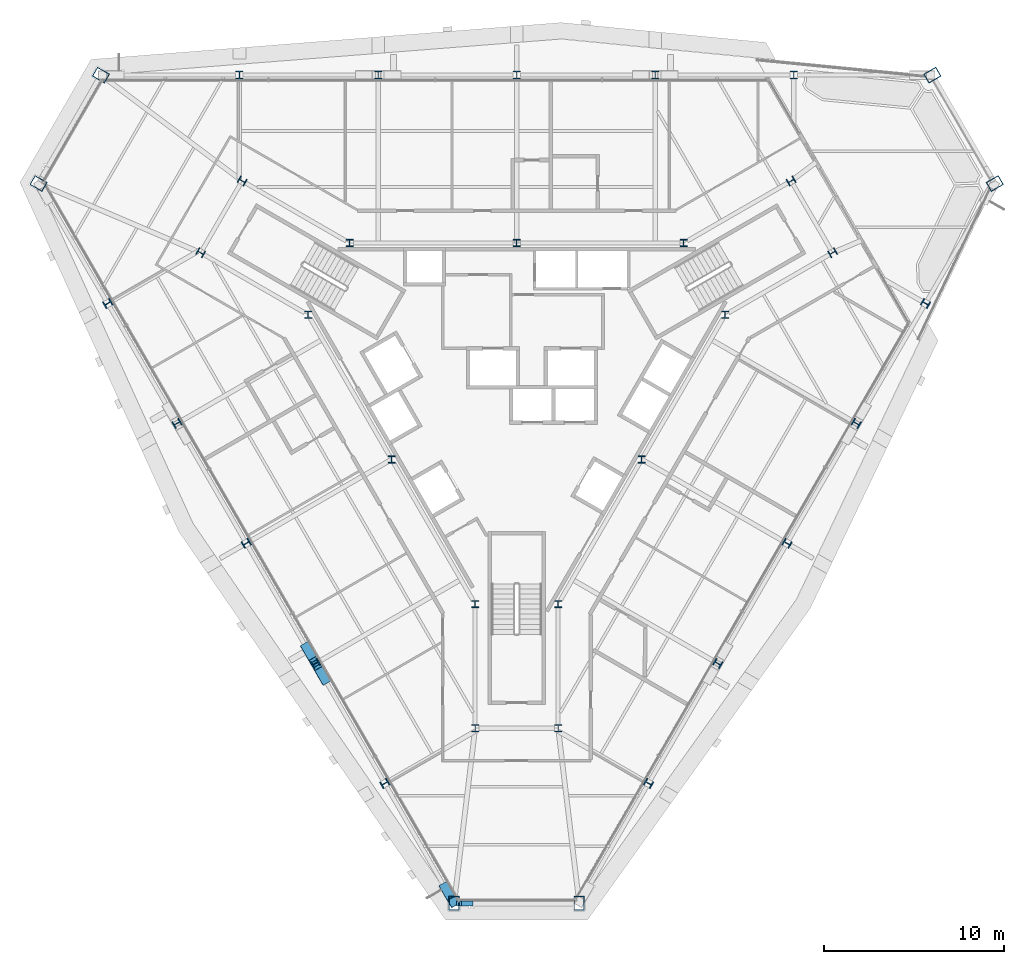
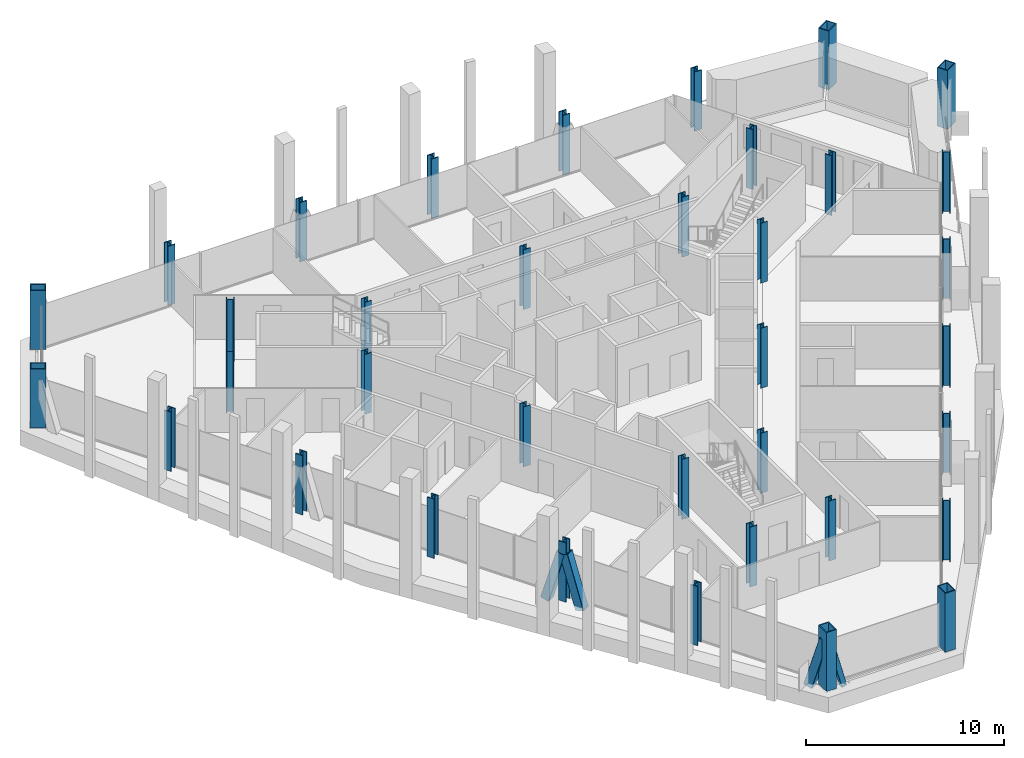
# One storey, part 1 of 13: 36 columns, 4 members.
"""IFC4 building model written with IfcOpenShell, lengths in metres."""

from ifc_helpers import new_model, si_unit, direction, frame, origin, origin_2d, place, context, subcontext, project, spatial, hollow_rectangle, i_section, extrude, material, material_profile, profile_set, type_object, element, save


model = new_model("IFC4")

# Units and contexts
model_context = context("Model", 3, precision=1e-05, world=origin(), true_north=direction((0.0, 1.0)))
body_context = subcontext(model_context, "Body", "Model", "MODEL_VIEW")
ifc_project = project(units=[si_unit("LENGTHUNIT", "METRE"), si_unit("AREAUNIT", "SQUARE_METRE"), si_unit("VOLUMEUNIT", "CUBIC_METRE"), si_unit("PLANEANGLEUNIT", "RADIAN"), si_unit("MASSUNIT", "GRAM", prefix="KILO")], contexts=[model_context])

# Site, building, storey
site_placement = place(None, origin())
site = spatial("IfcSite", under=ifc_project, at=site_placement, CompositionType="ELEMENT")
building_placement = place(site_placement, origin())
building = spatial("IfcBuilding", under=site, at=building_placement, Name="Verrane Prism Tower", CompositionType="ELEMENT")
storey_placement = place(building_placement, frame((0.0, 0.0, 171.0)))
storey = spatial("IfcBuildingStorey", under=building, at=storey_placement, Name="L42", CompositionType="ELEMENT", Elevation=171.0)

# Columns
ifc_material_1 = material(Name="Steel A992", Category="steel")
ifc_material_profile_1 = material_profile(ifc_material_1, i_section(OverallWidth=0.406494140625, OverallDepth=0.41650390625, WebThickness=0.030029296875, FlangeThickness=0.048095703125, FilletRadius=0.01513671875, at=origin_2d()), Name="W14x257")
ifc_profile_set_1 = profile_set([ifc_material_profile_1], Name="Steel A992")
column_type_1 = type_object("IfcColumnType", Name="Core corner column W14x257", PredefinedType="COLUMN", material=ifc_profile_set_1)
for number, where, z_axis, x_axis, name in (
    (1, (17.52001953125, 7.4599609375, 0.0), (0.0, 0.0, 1.0), (0.5, -0.866025403784, 0.0), "Core corner column CK-NEm L42"),
    (2, (15.219970703125, 11.43994140625, 0.0), (0.0, 0.0, 1.0), (0.5, -0.866025403784, 0.0), "Core corner column CK-NEp L42"),
    (3, (-15.219970703125, 11.43994140625, 0.0), (0.0, 0.0, 1.0), (0.5, 0.866025403784, 0.0), "Core corner column CK-NWm L42"),
    (4, (-17.52001953125, 7.4599609375, 0.0), (0.0, 0.0, 1.0), (0.5, 0.866025403784, 0.0), "Core corner column CK-NWp L42"),
    (5, (-2.300048828125, -18.89990234375, 0.0), (0.0, 0.0, 1.0), (-1.0, 0.0, 0.0), "Core corner column CK-Sm L42"),
    (6, (2.300048828125, -18.89990234375, 0.0), (0.0, 0.0, 1.0), (-1.0, 0.0, 0.0), "Core corner column CK-Sp L42"),
):
    element("IfcColumn", number, at=place(storey_placement, frame(where, z_axis=z_axis, x_axis=x_axis)), inside=storey, type_object=column_type_1, Name=name, PredefinedType="COLUMN", context=body_context, shape_type="SweptSolid", body=[
        extrude(i_section(OverallWidth=0.406494140625, OverallDepth=0.41650390625, WebThickness=0.030029296875, FlangeThickness=0.048095703125, FilletRadius=0.01513671875, at=origin_2d()), origin(), (0.0, 0.0, 1.0), 3.699951171875),
    ])
ifc_material_2 = material(Name="Steel A992", Category="steel")
ifc_material_profile_2 = material_profile(ifc_material_2, i_section(OverallWidth=0.4013671875, OverallDepth=0.398681640625, WebThickness=0.02490234375, FlangeThickness=0.03955078125, FilletRadius=0.01513671875, at=origin_2d()), Name="W14x211")
ifc_profile_set_2 = profile_set([ifc_material_profile_2], Name="Steel A992")
column_type_2 = type_object("IfcColumnType", Name="Core side column W14x211", PredefinedType="COLUMN", material=ifc_profile_set_2)
for number, where, z_axis, x_axis, name in (
    (7, (11.56005859375, 4.02001953125, 0.0), (0.0, 0.0, 1.0), (1.0, 0.0, 0.0), "Core side column CC-NEm L42"),
    (8, (9.260009765625, 8.0, 0.0), (0.0, 0.0, 1.0), (1.0, 0.0, 0.0), "Core side column CC-NEp L42"),
    (9, (0.0, 8.0, 0.0), (0.0, 0.0, 1.0), (1.0, 0.0, 0.0), "Core side column CC-N0 L42"),
    (10, (-9.260009765625, 8.0, 0.0), (0.0, 0.0, 1.0), (1.0, 0.0, 0.0), "Core side column CC-NWm L42"),
    (11, (-11.56005859375, 4.02001953125, 0.0), (0.0, 0.0, 1.0), (1.0, 0.0, 0.0), "Core side column CC-NWp L42"),
    (12, (-6.929931640625, -4.0, 0.0), (0.0, 0.0, 1.0), (1.0, 0.0, 0.0), "Core side column CC-SW0 L42"),
    (13, (-2.300048828125, -12.02001953125, 0.0), (0.0, 0.0, 1.0), (1.0, 0.0, 0.0), "Core side column CC-Sm L42"),
    (14, (2.300048828125, -12.02001953125, 0.0), (0.0, 0.0, 1.0), (1.0, 0.0, 0.0), "Core side column CC-Sp L42"),
    (15, (6.929931640625, -4.0, 0.0), (0.0, 0.0, 1.0), (1.0, 0.0, 0.0), "Core side column CC-SE0 L42"),
):
    element("IfcColumn", number, at=place(storey_placement, frame(where, z_axis=z_axis, x_axis=x_axis)), inside=storey, type_object=column_type_2, Name=name, PredefinedType="COLUMN", context=body_context, shape_type="SweptSolid", body=[
        extrude(i_section(OverallWidth=0.4013671875, OverallDepth=0.398681640625, WebThickness=0.02490234375, FlangeThickness=0.03955078125, FilletRadius=0.01513671875, at=origin_2d()), origin(), (0.0, 0.0, 1.0), 3.699951171875),
    ])
ifc_material_3 = material(Name="Steel A572 Grade 50", Category="steel")
ifc_material_profile_3 = material_profile(ifc_material_3, hollow_rectangle(XDim=0.60009765625, YDim=0.800048828125, WallThickness=0.050048828125, at=origin_2d()), Name="BOX 800x600x50")
ifc_profile_set_3 = profile_set([ifc_material_profile_3], Name="Steel A572 Grade 50")
column_type_3 = type_object("IfcColumnType", Name="Megacolumn BOX 800x600x50", PredefinedType="COLUMN", material=ifc_profile_set_3)
for number, where, z_axis, x_axis, name in (
    (16, (23.050048828125, 17.31005859375, 0.0), (0.0, 0.0, 1.0), (0.5, -0.866025403784, 0.0), "Megacolumn MC-NE.b L42"),
    (17, (-23.050048828125, 17.31005859375, 0.0), (0.0, 0.0, 1.0), (0.5, 0.866025403784, 0.0), "Megacolumn MC-NW.a L42"),
    (18, (-26.510009765625, 11.300048828125, 0.0), (0.0, 0.0, 1.0), (0.5, 0.866025403784, 0.0), "Megacolumn MC-NW.b L42"),
    (19, (-3.469970703125, -28.610107421875, 0.0), (0.0, 0.0, 1.0), (-1.0, 0.0, 0.0), "Megacolumn MC-S.a L42"),
    (20, (3.469970703125, -28.610107421875, 0.0), (0.0, 0.0, 1.0), (-1.0, 0.0, 0.0), "Megacolumn MC-S.b L42"),
    (21, (26.510009765625, 11.300048828125, 0.0), (0.0, 0.0, 1.0), (0.5, -0.866025403784, 0.0), "Megacolumn MC-NE.a L42"),
):
    element("IfcColumn", number, at=place(storey_placement, frame(where, z_axis=z_axis, x_axis=x_axis)), inside=storey, type_object=column_type_3, Name=name, PredefinedType="COLUMN", context=body_context, shape_type="SweptSolid", body=[
        extrude(hollow_rectangle(XDim=0.60009765625, YDim=0.800048828125, WallThickness=0.050048828125, at=origin_2d()), origin(), (0.0, 0.0, 1.0), 3.635009765625),
    ])
ifc_material_4 = material(Name="Steel A992", Category="steel")
ifc_material_profile_4 = material_profile(ifc_material_4, i_section(OverallWidth=0.411376953125, OverallDepth=0.434326171875, WebThickness=0.035888671875, FlangeThickness=0.057373046875, FilletRadius=0.01513671875, at=origin_2d()), Name="W14x311")
ifc_profile_set_4 = profile_set([ifc_material_profile_4], Name="Steel A992")
column_type_4 = type_object("IfcColumnType", Name="Perimeter column W14x311", PredefinedType="COLUMN", material=ifc_profile_set_4)
column_1_placement = place(storey_placement, frame((15.3701171875, 17.31005859375, 0.0), z_axis=(0.0, 0.0, 1.0), x_axis=(1.0, 0.0, 0.0)))
element("IfcColumn", 22, at=column_1_placement, inside=storey, type_object=column_type_4, Name="Perimeter column PC-N1 L42", PredefinedType="COLUMN", context=body_context, shape_type="SweptSolid", body=[
    extrude(i_section(OverallWidth=0.411376953125, OverallDepth=0.434326171875, WebThickness=0.035888671875, FlangeThickness=0.057373046875, FilletRadius=0.01513671875, at=origin_2d()), origin(), (0.0, 0.0, 1.0), 3.659912109375),
])
for number, where, z_axis, x_axis, name in (
    (23, (7.679931640625, 17.31005859375, 0.0), (0.0, 0.0, 1.0), (1.0, 0.0, 0.0), "Perimeter column PC-N2 L42"),
    (24, (0.0, 17.31005859375, 0.0), (0.0, 0.0, 1.0), (1.0, 0.0, 0.0), "Perimeter column PC-N3 L42"),
    (25, (-7.679931640625, 17.31005859375, 0.0), (0.0, 0.0, 1.0), (1.0, 0.0, 0.0), "Perimeter column PC-N4 L42"),
):
    element("IfcColumn", number, at=place(storey_placement, frame(where, z_axis=z_axis, x_axis=x_axis)), inside=storey, type_object=column_type_4, Name=name, PredefinedType="COLUMN", context=body_context, shape_type="SweptSolid", body=[
        extrude(i_section(OverallWidth=0.411376953125, OverallDepth=0.434326171875, WebThickness=0.035888671875, FlangeThickness=0.057373046875, FilletRadius=0.01513671875, at=origin_2d()), origin(), (0.0, 0.0, 1.0), 3.6650390625),
    ])
for number, where, z_axis, x_axis, name in (
    (26, (-15.3701171875, 17.31005859375, 0.0), (0.0, 0.0, 1.0), (1.0, 0.0, 0.0), "Perimeter column PC-N5 L42"),
    (27, (-22.669921875, 4.64990234375, 0.0), (0.0, 0.0, 1.0), (-0.5, 0.866025403784, 0.0), "Perimeter column PC-SW1 L42"),
):
    element("IfcColumn", number, at=place(storey_placement, frame(where, z_axis=z_axis, x_axis=x_axis)), inside=storey, type_object=column_type_4, Name=name, PredefinedType="COLUMN", context=body_context, shape_type="SweptSolid", body=[
        extrude(i_section(OverallWidth=0.411376953125, OverallDepth=0.434326171875, WebThickness=0.035888671875, FlangeThickness=0.057373046875, FilletRadius=0.01513671875, at=origin_2d()), origin(), (0.0, 0.0, 1.0), 3.659912109375),
    ])
for number, where, z_axis, x_axis, name in (
    (28, (-18.830078125, -2.0, 0.0), (0.0, 0.0, 1.0), (-0.5, 0.866025403784, 0.0), "Perimeter column PC-SW2 L42"),
    (29, (-14.989990234375, -8.64990234375, 0.0), (0.0, 0.0, 1.0), (-0.5, 0.866025403784, 0.0), "Perimeter column PC-SW3 L42"),
    (30, (-11.14990234375, -15.31005859375, 0.0), (0.0, 0.0, 1.0), (-0.5, 0.866025403784, 0.0), "Perimeter column PC-SW4 L42"),
):
    element("IfcColumn", number, at=place(storey_placement, frame(where, z_axis=z_axis, x_axis=x_axis)), inside=storey, type_object=column_type_4, Name=name, PredefinedType="COLUMN", context=body_context, shape_type="SweptSolid", body=[
        extrude(i_section(OverallWidth=0.411376953125, OverallDepth=0.434326171875, WebThickness=0.035888671875, FlangeThickness=0.057373046875, FilletRadius=0.01513671875, at=origin_2d()), origin(), (0.0, 0.0, 1.0), 3.6650390625),
    ])
for number, where, z_axis, x_axis, name in (
    (31, (-7.31005859375, -21.9599609375, 0.0), (0.0, 0.0, 1.0), (-0.5, 0.866025403784, 0.0), "Perimeter column PC-SW5 L42"),
    (32, (7.31005859375, -21.9599609375, 0.0), (0.0, 0.0, 1.0), (-0.5, -0.866025403784, 0.0), "Perimeter column PC-SE1 L42"),
):
    element("IfcColumn", number, at=place(storey_placement, frame(where, z_axis=z_axis, x_axis=x_axis)), inside=storey, type_object=column_type_4, Name=name, PredefinedType="COLUMN", context=body_context, shape_type="SweptSolid", body=[
        extrude(i_section(OverallWidth=0.411376953125, OverallDepth=0.434326171875, WebThickness=0.035888671875, FlangeThickness=0.057373046875, FilletRadius=0.01513671875, at=origin_2d()), origin(), (0.0, 0.0, 1.0), 3.659912109375),
    ])
for number, where, z_axis, x_axis, name in (
    (33, (11.14990234375, -15.31005859375, 0.0), (0.0, 0.0, 1.0), (-0.5, -0.866025403784, 0.0), "Perimeter column PC-SE2 L42"),
    (34, (14.989990234375, -8.64990234375, 0.0), (0.0, 0.0, 1.0), (-0.5, -0.866025403784, 0.0), "Perimeter column PC-SE3 L42"),
    (35, (18.830078125, -2.0, 0.0), (0.0, 0.0, 1.0), (-0.5, -0.866025403784, 0.0), "Perimeter column PC-SE4 L42"),
):
    element("IfcColumn", number, at=place(storey_placement, frame(where, z_axis=z_axis, x_axis=x_axis)), inside=storey, type_object=column_type_4, Name=name, PredefinedType="COLUMN", context=body_context, shape_type="SweptSolid", body=[
        extrude(i_section(OverallWidth=0.411376953125, OverallDepth=0.434326171875, WebThickness=0.035888671875, FlangeThickness=0.057373046875, FilletRadius=0.01513671875, at=origin_2d()), origin(), (0.0, 0.0, 1.0), 3.6650390625),
    ])
column_2_placement = place(storey_placement, frame((22.669921875, 4.64990234375, 0.0), z_axis=(0.0, 0.0, 1.0), x_axis=(-0.5, -0.866025403784, 0.0)))
element("IfcColumn", 36, at=column_2_placement, inside=storey, type_object=column_type_4, Name="Perimeter column PC-SE5 L42", PredefinedType="COLUMN", context=body_context, shape_type="SweptSolid", body=[
    extrude(i_section(OverallWidth=0.411376953125, OverallDepth=0.434326171875, WebThickness=0.035888671875, FlangeThickness=0.057373046875, FilletRadius=0.01513671875, at=origin_2d()), origin(), (0.0, 0.0, 1.0), 3.659912109375),
])

# Members
ifc_material_5 = material(Name="Steel A500 Grade C", Category="steel")
ifc_material_profile_5 = material_profile(ifc_material_5, hollow_rectangle(XDim=0.3046875, YDim=0.3046875, WallThickness=0.0126953125, InnerFilletRadius=0.00634765625, OuterFilletRadius=0.01904296875, at=origin_2d()), Name="HSS12x12x1/2")
ifc_profile_set_5 = profile_set([ifc_material_profile_5], Name="Steel A500 Grade C")
member_type_1 = type_object("IfcMemberType", Name="Chamfer brace HSS12x12x1/2", PredefinedType="BRACE", material=ifc_profile_set_5)
member_1_placement = place(storey_placement, frame((-2.557861328125, -28.610107421875, -0.24267578125), z_axis=(-0.25880166756, 0.0, 0.96593048242), x_axis=(0.0, -1.0, 0.0)))
element("IfcMember", 37, at=member_1_placement, inside=storey, type_object=member_type_1, Name="Chamfer brace S0 L42", PredefinedType="BRACE", context=body_context, shape_type="SweptSolid", body=[
    extrude(hollow_rectangle(XDim=0.3046875, YDim=0.3046875, WallThickness=0.0126953125, InnerFilletRadius=0.00634765625, OuterFilletRadius=0.01904296875, at=origin_2d()), origin(), (0.0, 0.0, 1.0), 2.48095703125),
])
ifc_material_6 = material(Name="Steel A500 Grade C", Category="steel")
ifc_material_profile_6 = material_profile(ifc_material_6, hollow_rectangle(XDim=0.508056640625, YDim=0.508056640625, WallThickness=0.01904296875, InnerFilletRadius=0.009521484375, OuterFilletRadius=0.028564453125, at=origin_2d()), Name="HSS20x20x3/4")
ifc_profile_set_6 = profile_set([ifc_material_profile_6], Name="Steel A500 Grade C")
member_type_2 = type_object("IfcMemberType", Name="Facade brace HSS20x20x3/4", PredefinedType="BRACE", material=ifc_profile_set_6)
member_2_placement = place(storey_placement, frame((-11.6611328125, -14.42333984375, -0.216796875), z_axis=(0.142077693041, -0.2465007126, 0.958671647556), x_axis=(0.866389767609, 0.499368371629, 0.0)))
element("IfcMember", 38, at=member_2_placement, inside=storey, type_object=member_type_2, Name="Facade brace SW3 L42", PredefinedType="BRACE", context=body_context, shape_type="SweptSolid", body=[
    extrude(hollow_rectangle(XDim=0.508056640625, YDim=0.508056640625, WallThickness=0.01904296875, InnerFilletRadius=0.009521484375, OuterFilletRadius=0.028564453125, at=origin_2d()), origin(), (0.0, 0.0, 1.0), 3.287109375),
])
for number, where, z_axis, x_axis, name in (
    (39, (-10.638916015625, -16.1953125, -0.216796875), (-0.142090690467, 0.246151880924, 0.958759347908), (-0.866063739398, -0.499933594891, 0.0), "Facade brace SW4 L42"),
    (40, (-3.981201171875, -27.724609375, -0.216796875), (0.142163466059, -0.246149282404, 0.958749226696), (0.86595058071, 0.500129574979, 0.0), "Facade brace SW5 L42"),
):
    element("IfcMember", number, at=place(storey_placement, frame(where, z_axis=z_axis, x_axis=x_axis)), inside=storey, type_object=member_type_2, Name=name, PredefinedType="BRACE", context=body_context, shape_type="SweptSolid", body=[
        extrude(hollow_rectangle(XDim=0.508056640625, YDim=0.508056640625, WallThickness=0.01904296875, InnerFilletRadius=0.009521484375, OuterFilletRadius=0.028564453125, at=origin_2d()), origin(), (0.0, 0.0, 1.0), 3.286865234375),
    ])

save(model, "model.ifc")
